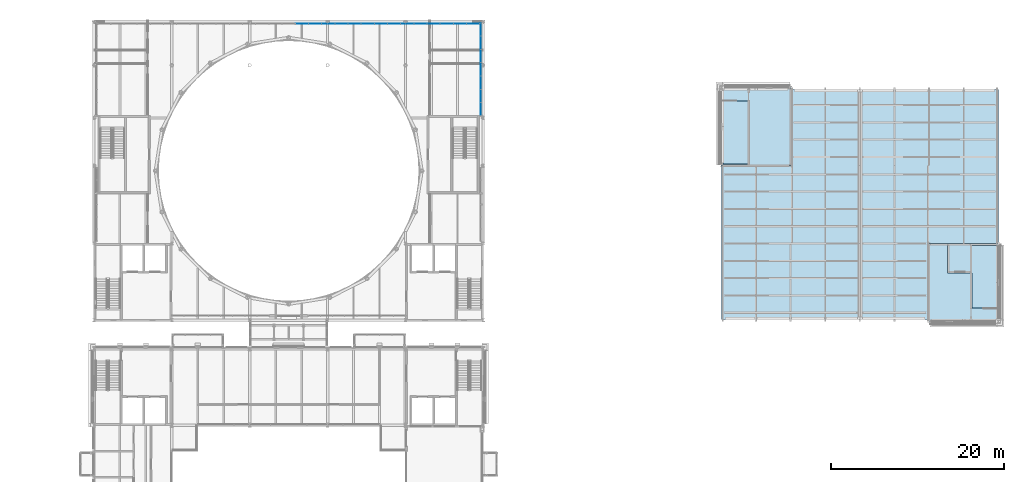
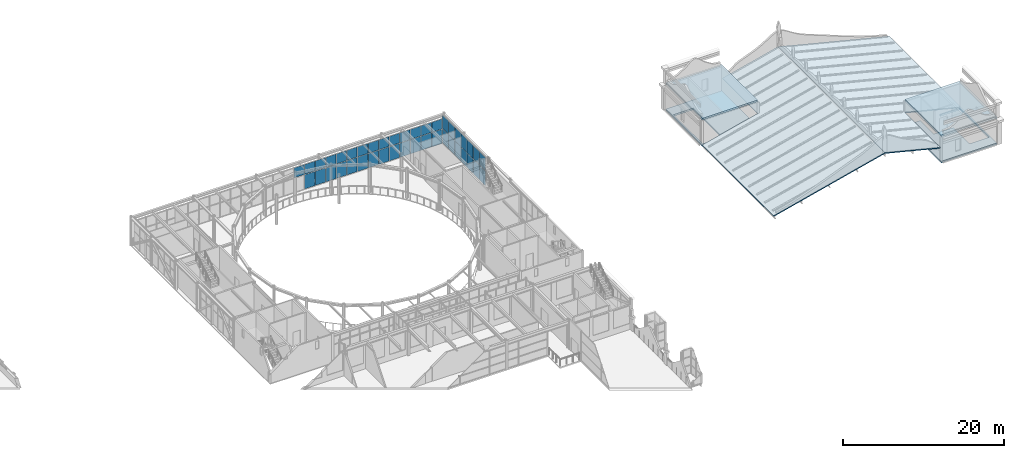
# One storey, part 63 of 111: 41 plates, 6 slabs, 2 elements without a shape of their own.
"""IFC4 building model written with IfcOpenShell, lengths in metres."""

from ifc_helpers import new_model, si_unit, direction, frame, origin, origin_2d, place, context, subcontext, project, spatial, polyline, rectangle, outline, extrude, material, layer, layer_set, type_object, element, aggregate, save


model = new_model("IFC4")

# Units and contexts
model_context = context("Model", 3, precision=1e-05, world=origin(), true_north=direction((0.0, 1.0)))
body_context = subcontext(model_context, "Body", "Model", "MODEL_VIEW")
ifc_project = project(units=[si_unit("LENGTHUNIT", "METRE"), si_unit("AREAUNIT", "SQUARE_METRE"), si_unit("VOLUMEUNIT", "CUBIC_METRE"), si_unit("PLANEANGLEUNIT", "RADIAN"), si_unit("MASSUNIT", "GRAM", prefix="KILO")], contexts=[model_context])

# Site, building, storey
site_placement = place(None, origin())
site = spatial("IfcSite", under=ifc_project, at=site_placement, CompositionType="ELEMENT")
building_placement = place(site_placement, origin())
building = spatial("IfcBuilding", under=site, at=building_placement, Name="Kallimachos Central Library", CompositionType="ELEMENT")
storey_placement = place(building_placement, frame((0.0, 0.0, 14.39990234375)))
storey = spatial("IfcBuildingStorey", under=building, at=storey_placement, Name="L03", CompositionType="ELEMENT", Elevation=14.39990234375)

# Slabs
ifc_material_1 = material(Name="Composite slab C30/37 on steel deck", Category="concrete")
ifc_layer_1 = layer(ifc_material_1, 0.25)
ifc_layer_set_1 = layer_set([ifc_layer_1], Name="Core floor slab 250")
slab_type_1 = type_object("IfcSlabType", Name="Core floor slab 250", PredefinedType="FLOOR", material=ifc_layer_set_1)
slab_1_placement = place(storey_placement, frame((0.0, 0.0, -0.25)))
element("IfcSlab", 1, at=slab_1_placement, inside=storey, type_object=slab_type_1, Name="V3-SLB-L03-001", PredefinedType="FLOOR", context=body_context, shape_type="SweptSolid", body=[
    extrude(outline(polyline([(138.0, 114.0), (146.0, 114.0), (146.0, 105.0), (138.0, 105.0), (138.0, 114.0)]), holes=[polyline([(138.199951171875, 105.199951171875), (141.050048828125, 105.199951171875), (141.050048828125, 112.446044921875), (138.199951171875, 112.446044921875), (138.199951171875, 105.199951171875)])]), origin(), (0.0, 0.0, 1.0), 0.25),
])
slab_2_placement = place(storey_placement, frame((0.0, 0.0, -0.25)))
element("IfcSlab", 2, at=slab_2_placement, inside=storey, type_object=slab_type_1, Name="V3-SLB-L03-002", PredefinedType="FLOOR", context=body_context, shape_type="SweptSolid", body=[
    extrude(outline(polyline([(170.0, 96.0), (170.0, 87.0), (162.0, 87.0), (162.0, 96.0), (164.14990234375, 96.0), (164.14990234375, 92.60009765625), (166.949951171875, 92.60009765625), (166.949951171875, 88.553955078125), (169.800048828125, 88.553955078125), (169.800048828125, 95.800048828125), (166.949951171875, 95.800048828125), (166.949951171875, 96.0), (170.0, 96.0)])), origin(), (0.0, 0.0, 1.0), 0.25),
])
ifc_material_2 = material(Name="Concrete C30/37", Category="concrete")
ifc_layer_2 = layer(ifc_material_2, 0.25)
ifc_layer_set_2 = layer_set([ifc_layer_2], Name="Head-house roof slab 250")
slab_type_2 = type_object("IfcSlabType", Name="Head-house roof slab 250", PredefinedType="ROOF", material=ifc_layer_set_2)
slab_3_placement = place(storey_placement, frame((0.0, 0.0, 3.75)))
element("IfcSlab", 3, at=slab_3_placement, inside=storey, type_object=slab_type_2, Name="V3-SLB-L03-003", PredefinedType="ROOF", context=body_context, shape_type="SweptSolid", body=[
    extrude(outline(polyline([(138.0, 105.0), (146.0, 105.0), (146.0, 114.0), (138.0, 114.0), (138.0, 105.0)])), origin(), (0.0, 0.0, 1.0), 0.25),
])
slab_4_placement = place(storey_placement, frame((0.0, 0.0, 3.75)))
element("IfcSlab", 4, at=slab_4_placement, inside=storey, type_object=slab_type_2, Name="V3-SLB-L03-004", PredefinedType="ROOF", context=body_context, shape_type="SweptSolid", body=[
    extrude(outline(polyline([(162.0, 87.0), (170.0, 87.0), (170.0, 96.0), (162.0, 96.0), (162.0, 87.0)])), origin(), (0.0, 0.0, 1.0), 0.25),
])

# Curtain wall, plates
ifc_material_3 = material(Name="Anodised aluminium and laminated glass", Category="aluminium")
ifc_layer_3 = layer(ifc_material_3, 0.159912109375)
ifc_layer_set_3 = layer_set([ifc_layer_3], Name="Glass box curtain wall")
curtain_wall_type = type_object("IfcCurtainWallType", Name="Glass box curtain wall", PredefinedType="NOTDEFINED", material=ifc_layer_set_3)
curtain_wall_1_placement = place(storey_placement, origin())
curtain_wall_1 = element("IfcCurtainWall", 5, at=curtain_wall_1_placement, inside=storey, type_object=curtain_wall_type, Name="Glass box curtain wall E L03", PredefinedType="NOTDEFINED")
ifc_material_4 = material(Name="Laminated glass", Category="glass")
ifc_layer_4 = layer(ifc_material_4, 0.028076171875)
ifc_layer_set_4 = layer_set([ifc_layer_4], Name="Laminated glass panel 28")
plate_type = type_object("IfcPlateType", Name="Laminated glass panel 28", PredefinedType="CURTAIN_PANEL", material=ifc_layer_set_4)
plate_1_placement = place(storey_placement, frame((110.199951171875, 111.532958984375, 0.06005859375), z_axis=(0.0, 0.0, 1.0), x_axis=(0.0, 1.0, 0.0)))
plate_1 = element("IfcPlate", 6, at=plate_1_placement, type_object=plate_type, Name="CW26 panel 1.1", PredefinedType="CURTAIN_PANEL", context=body_context, shape_type="SweptSolid", body=[
    extrude(rectangle(XDim=1.44580078125, YDim=0.028076171875, at=origin_2d()), origin(), (0.0, 0.0, 1.0), 2.159912109375),
])
plate_2_placement = place(storey_placement, frame((110.199951171875, 111.532958984375, 2.2802734375), z_axis=(0.0, 0.0, 1.0), x_axis=(0.0, 1.0, 0.0)))
plate_2 = element("IfcPlate", 7, at=plate_2_placement, type_object=plate_type, Name="CW26 panel 1.2", PredefinedType="CURTAIN_PANEL", context=body_context, shape_type="SweptSolid", body=[
    extrude(rectangle(XDim=1.44580078125, YDim=0.028076171875, at=origin_2d()), origin(), (0.0, 0.0, 1.0), 2.010009765625),
])
plate_3_placement = place(storey_placement, frame((110.199951171875, 113.053466796875, 0.06005859375), z_axis=(0.0, 0.0, 1.0), x_axis=(0.0, 1.0, 0.0)))
plate_3 = element("IfcPlate", 8, at=plate_3_placement, type_object=plate_type, Name="CW26 panel 2.1", PredefinedType="CURTAIN_PANEL", context=body_context, shape_type="SweptSolid", body=[
    extrude(rectangle(XDim=1.475830078125, YDim=0.028076171875, at=origin_2d()), origin(), (0.0, 0.0, 1.0), 2.159912109375),
])
plate_4_placement = place(storey_placement, frame((110.199951171875, 113.053466796875, 2.2802734375), z_axis=(0.0, 0.0, 1.0), x_axis=(0.0, 1.0, 0.0)))
plate_4 = element("IfcPlate", 9, at=plate_4_placement, type_object=plate_type, Name="CW26 panel 2.2", PredefinedType="CURTAIN_PANEL", context=body_context, shape_type="SweptSolid", body=[
    extrude(rectangle(XDim=1.475830078125, YDim=0.028076171875, at=origin_2d()), origin(), (0.0, 0.0, 1.0), 2.010009765625),
])
plate_5_placement = place(storey_placement, frame((110.199951171875, 114.58935546875, 0.06005859375), z_axis=(0.0, 0.0, 1.0), x_axis=(0.0, 1.0, 0.0)))
plate_5 = element("IfcPlate", 10, at=plate_5_placement, type_object=plate_type, Name="CW26 panel 3.1", PredefinedType="CURTAIN_PANEL", context=body_context, shape_type="SweptSolid", body=[
    extrude(rectangle(XDim=1.475830078125, YDim=0.028076171875, at=origin_2d()), origin(), (0.0, 0.0, 1.0), 2.159912109375),
])
plate_6_placement = place(storey_placement, frame((110.199951171875, 114.58935546875, 2.2802734375), z_axis=(0.0, 0.0, 1.0), x_axis=(0.0, 1.0, 0.0)))
plate_6 = element("IfcPlate", 11, at=plate_6_placement, type_object=plate_type, Name="CW26 panel 3.2", PredefinedType="CURTAIN_PANEL", context=body_context, shape_type="SweptSolid", body=[
    extrude(rectangle(XDim=1.475830078125, YDim=0.028076171875, at=origin_2d()), origin(), (0.0, 0.0, 1.0), 2.010009765625),
])
plate_7_placement = place(storey_placement, frame((110.199951171875, 116.125, 0.06005859375), z_axis=(0.0, 0.0, 1.0), x_axis=(0.0, 1.0, 0.0)))
plate_7 = element("IfcPlate", 12, at=plate_7_placement, type_object=plate_type, Name="CW26 panel 4.1", PredefinedType="CURTAIN_PANEL", context=body_context, shape_type="SweptSolid", body=[
    extrude(rectangle(XDim=1.475830078125, YDim=0.028076171875, at=origin_2d()), origin(), (0.0, 0.0, 1.0), 2.159912109375),
])
plate_8_placement = place(storey_placement, frame((110.199951171875, 116.125, 2.2802734375), z_axis=(0.0, 0.0, 1.0), x_axis=(0.0, 1.0, 0.0)))
plate_8 = element("IfcPlate", 13, at=plate_8_placement, type_object=plate_type, Name="CW26 panel 4.2", PredefinedType="CURTAIN_PANEL", context=body_context, shape_type="SweptSolid", body=[
    extrude(rectangle(XDim=1.475830078125, YDim=0.028076171875, at=origin_2d()), origin(), (0.0, 0.0, 1.0), 2.010009765625),
])
plate_9_placement = place(storey_placement, frame((110.199951171875, 117.66064453125, 0.06005859375), z_axis=(0.0, 0.0, 1.0), x_axis=(0.0, 1.0, 0.0)))
plate_9 = element("IfcPlate", 14, at=plate_9_placement, type_object=plate_type, Name="CW26 panel 5.1", PredefinedType="CURTAIN_PANEL", context=body_context, shape_type="SweptSolid", body=[
    extrude(rectangle(XDim=1.475830078125, YDim=0.028076171875, at=origin_2d()), origin(), (0.0, 0.0, 1.0), 2.159912109375),
])
plate_10_placement = place(storey_placement, frame((110.199951171875, 117.66064453125, 2.2802734375), z_axis=(0.0, 0.0, 1.0), x_axis=(0.0, 1.0, 0.0)))
plate_10 = element("IfcPlate", 15, at=plate_10_placement, type_object=plate_type, Name="CW26 panel 5.2", PredefinedType="CURTAIN_PANEL", context=body_context, shape_type="SweptSolid", body=[
    extrude(rectangle(XDim=1.475830078125, YDim=0.028076171875, at=origin_2d()), origin(), (0.0, 0.0, 1.0), 2.010009765625),
])
plate_11_placement = place(storey_placement, frame((110.199951171875, 119.196533203125, 0.06005859375), z_axis=(0.0, 0.0, 1.0), x_axis=(0.0, 1.0, 0.0)))
plate_11 = element("IfcPlate", 16, at=plate_11_placement, type_object=plate_type, Name="CW26 panel 6.1", PredefinedType="CURTAIN_PANEL", context=body_context, shape_type="SweptSolid", body=[
    extrude(rectangle(XDim=1.475830078125, YDim=0.028076171875, at=origin_2d()), origin(), (0.0, 0.0, 1.0), 2.159912109375),
])
plate_12_placement = place(storey_placement, frame((110.199951171875, 119.196533203125, 2.2802734375), z_axis=(0.0, 0.0, 1.0), x_axis=(0.0, 1.0, 0.0)))
plate_12 = element("IfcPlate", 17, at=plate_12_placement, type_object=plate_type, Name="CW26 panel 6.2", PredefinedType="CURTAIN_PANEL", context=body_context, shape_type="SweptSolid", body=[
    extrude(rectangle(XDim=1.475830078125, YDim=0.028076171875, at=origin_2d()), origin(), (0.0, 0.0, 1.0), 2.010009765625),
])
plate_13_placement = place(storey_placement, frame((110.199951171875, 120.717041015625, 0.06005859375), z_axis=(0.0, 0.0, 1.0), x_axis=(0.0, 1.0, 0.0)))
plate_13 = element("IfcPlate", 18, at=plate_13_placement, type_object=plate_type, Name="CW26 panel 7.1", PredefinedType="CURTAIN_PANEL", context=body_context, shape_type="SweptSolid", body=[
    extrude(rectangle(XDim=1.44580078125, YDim=0.028076171875, at=origin_2d()), origin(), (0.0, 0.0, 1.0), 2.159912109375),
])
plate_14_placement = place(storey_placement, frame((110.199951171875, 120.717041015625, 2.2802734375), z_axis=(0.0, 0.0, 1.0), x_axis=(0.0, 1.0, 0.0)))
plate_14 = element("IfcPlate", 19, at=plate_14_placement, type_object=plate_type, Name="CW26 panel 7.2", PredefinedType="CURTAIN_PANEL", context=body_context, shape_type="SweptSolid", body=[
    extrude(rectangle(XDim=1.44580078125, YDim=0.028076171875, at=origin_2d()), origin(), (0.0, 0.0, 1.0), 2.010009765625),
])
aggregate(curtain_wall_1, [plate_1, plate_2, plate_3, plate_4, plate_5, plate_6, plate_7, plate_8, plate_9, plate_10, plate_11, plate_12, plate_13, plate_14])

curtain_wall_2_placement = place(storey_placement, origin())
curtain_wall_2 = element("IfcCurtainWall", 20, at=curtain_wall_2_placement, inside=storey, type_object=curtain_wall_type, Name="Glass box curtain wall N L03", PredefinedType="NOTDEFINED")
plate_15_placement = place(storey_placement, frame((89.522705078125, 121.3798828125, 2.2802734375), z_axis=(0.0, 0.0, 1.0), x_axis=(1.0, 0.0, 0.0)))
plate_15 = element("IfcPlate", 21, at=plate_15_placement, type_object=plate_type, Name="CW27 panel 16.2", PredefinedType="CURTAIN_PANEL", context=body_context, shape_type="SweptSolid", body=[
    extrude(rectangle(XDim=1.462646484375, YDim=0.028076171875, at=origin_2d()), origin(), (0.0, 0.0, 1.0), 1.510009765625),
])
plate_16_placement = place(storey_placement, frame((91.04541015625, 121.3798828125, 0.06005859375), z_axis=(0.0, 0.0, 1.0), x_axis=(1.0, 0.0, 0.0)))
plate_16 = element("IfcPlate", 22, at=plate_16_placement, type_object=plate_type, Name="CW27 panel 17.1", PredefinedType="CURTAIN_PANEL", context=body_context, shape_type="SweptSolid", body=[
    extrude(rectangle(XDim=1.462646484375, YDim=0.028076171875, at=origin_2d()), origin(), (0.0, 0.0, 1.0), 2.159912109375),
])
plate_17_placement = place(storey_placement, frame((91.04541015625, 121.3798828125, 2.2802734375), z_axis=(0.0, 0.0, 1.0), x_axis=(1.0, 0.0, 0.0)))
plate_17 = element("IfcPlate", 23, at=plate_17_placement, type_object=plate_type, Name="CW27 panel 17.2", PredefinedType="CURTAIN_PANEL", context=body_context, shape_type="SweptSolid", body=[
    extrude(rectangle(XDim=1.462646484375, YDim=0.028076171875, at=origin_2d()), origin(), (0.0, 0.0, 1.0), 1.510009765625),
])
plate_18_placement = place(storey_placement, frame((92.568359375, 121.3798828125, 0.06005859375), z_axis=(0.0, 0.0, 1.0), x_axis=(1.0, 0.0, 0.0)))
plate_18 = element("IfcPlate", 24, at=plate_18_placement, type_object=plate_type, Name="CW27 panel 18.1", PredefinedType="CURTAIN_PANEL", context=body_context, shape_type="SweptSolid", body=[
    extrude(rectangle(XDim=1.462646484375, YDim=0.028076171875, at=origin_2d()), origin(), (0.0, 0.0, 1.0), 2.159912109375),
])
plate_19_placement = place(storey_placement, frame((92.568359375, 121.3798828125, 2.2802734375), z_axis=(0.0, 0.0, 1.0), x_axis=(1.0, 0.0, 0.0)))
plate_19 = element("IfcPlate", 25, at=plate_19_placement, type_object=plate_type, Name="CW27 panel 18.2", PredefinedType="CURTAIN_PANEL", context=body_context, shape_type="SweptSolid", body=[
    extrude(rectangle(XDim=1.462646484375, YDim=0.028076171875, at=origin_2d()), origin(), (0.0, 0.0, 1.0), 1.510009765625),
])
plate_20_placement = place(storey_placement, frame((94.091064453125, 121.3798828125, 0.06005859375), z_axis=(0.0, 0.0, 1.0), x_axis=(1.0, 0.0, 0.0)))
plate_20 = element("IfcPlate", 26, at=plate_20_placement, type_object=plate_type, Name="CW27 panel 19.1", PredefinedType="CURTAIN_PANEL", context=body_context, shape_type="SweptSolid", body=[
    extrude(rectangle(XDim=1.462646484375, YDim=0.028076171875, at=origin_2d()), origin(), (0.0, 0.0, 1.0), 2.159912109375),
])
plate_21_placement = place(storey_placement, frame((94.091064453125, 121.3798828125, 2.2802734375), z_axis=(0.0, 0.0, 1.0), x_axis=(1.0, 0.0, 0.0)))
plate_21 = element("IfcPlate", 27, at=plate_21_placement, type_object=plate_type, Name="CW27 panel 19.2", PredefinedType="CURTAIN_PANEL", context=body_context, shape_type="SweptSolid", body=[
    extrude(rectangle(XDim=1.462646484375, YDim=0.028076171875, at=origin_2d()), origin(), (0.0, 0.0, 1.0), 1.510009765625),
])
plate_22_placement = place(storey_placement, frame((95.61376953125, 121.3798828125, 0.06005859375), z_axis=(0.0, 0.0, 1.0), x_axis=(1.0, 0.0, 0.0)))
plate_22 = element("IfcPlate", 28, at=plate_22_placement, type_object=plate_type, Name="CW27 panel 20.1", PredefinedType="CURTAIN_PANEL", context=body_context, shape_type="SweptSolid", body=[
    extrude(rectangle(XDim=1.462646484375, YDim=0.028076171875, at=origin_2d()), origin(), (0.0, 0.0, 1.0), 2.159912109375),
])
plate_23_placement = place(storey_placement, frame((95.61376953125, 121.3798828125, 2.2802734375), z_axis=(0.0, 0.0, 1.0), x_axis=(1.0, 0.0, 0.0)))
plate_23 = element("IfcPlate", 29, at=plate_23_placement, type_object=plate_type, Name="CW27 panel 20.2", PredefinedType="CURTAIN_PANEL", context=body_context, shape_type="SweptSolid", body=[
    extrude(rectangle(XDim=1.462646484375, YDim=0.028076171875, at=origin_2d()), origin(), (0.0, 0.0, 1.0), 1.510009765625),
])
plate_24_placement = place(storey_placement, frame((97.136474609375, 121.3798828125, 0.06005859375), z_axis=(0.0, 0.0, 1.0), x_axis=(1.0, 0.0, 0.0)))
plate_24 = element("IfcPlate", 30, at=plate_24_placement, type_object=plate_type, Name="CW27 panel 21.1", PredefinedType="CURTAIN_PANEL", context=body_context, shape_type="SweptSolid", body=[
    extrude(rectangle(XDim=1.462646484375, YDim=0.028076171875, at=origin_2d()), origin(), (0.0, 0.0, 1.0), 2.159912109375),
])
plate_25_placement = place(storey_placement, frame((97.136474609375, 121.3798828125, 2.2802734375), z_axis=(0.0, 0.0, 1.0), x_axis=(1.0, 0.0, 0.0)))
plate_25 = element("IfcPlate", 31, at=plate_25_placement, type_object=plate_type, Name="CW27 panel 21.2", PredefinedType="CURTAIN_PANEL", context=body_context, shape_type="SweptSolid", body=[
    extrude(rectangle(XDim=1.462646484375, YDim=0.028076171875, at=origin_2d()), origin(), (0.0, 0.0, 1.0), 1.510009765625),
])
plate_26_placement = place(storey_placement, frame((98.659423828125, 121.3798828125, 0.06005859375), z_axis=(0.0, 0.0, 1.0), x_axis=(1.0, 0.0, 0.0)))
plate_26 = element("IfcPlate", 32, at=plate_26_placement, type_object=plate_type, Name="CW27 panel 22.1", PredefinedType="CURTAIN_PANEL", context=body_context, shape_type="SweptSolid", body=[
    extrude(rectangle(XDim=1.462646484375, YDim=0.028076171875, at=origin_2d()), origin(), (0.0, 0.0, 1.0), 2.159912109375),
])
plate_27_placement = place(storey_placement, frame((98.659423828125, 121.3798828125, 2.2802734375), z_axis=(0.0, 0.0, 1.0), x_axis=(1.0, 0.0, 0.0)))
plate_27 = element("IfcPlate", 33, at=plate_27_placement, type_object=plate_type, Name="CW27 panel 22.2", PredefinedType="CURTAIN_PANEL", context=body_context, shape_type="SweptSolid", body=[
    extrude(rectangle(XDim=1.462646484375, YDim=0.028076171875, at=origin_2d()), origin(), (0.0, 0.0, 1.0), 1.510009765625),
])
plate_28_placement = place(storey_placement, frame((100.18212890625, 121.3798828125, 0.06005859375), z_axis=(0.0, 0.0, 1.0), x_axis=(1.0, 0.0, 0.0)))
plate_28 = element("IfcPlate", 34, at=plate_28_placement, type_object=plate_type, Name="CW27 panel 23.1", PredefinedType="CURTAIN_PANEL", context=body_context, shape_type="SweptSolid", body=[
    extrude(rectangle(XDim=1.462646484375, YDim=0.028076171875, at=origin_2d()), origin(), (0.0, 0.0, 1.0), 2.159912109375),
])
plate_29_placement = place(storey_placement, frame((100.18212890625, 121.3798828125, 2.2802734375), z_axis=(0.0, 0.0, 1.0), x_axis=(1.0, 0.0, 0.0)))
plate_29 = element("IfcPlate", 35, at=plate_29_placement, type_object=plate_type, Name="CW27 panel 23.2", PredefinedType="CURTAIN_PANEL", context=body_context, shape_type="SweptSolid", body=[
    extrude(rectangle(XDim=1.462646484375, YDim=0.028076171875, at=origin_2d()), origin(), (0.0, 0.0, 1.0), 1.510009765625),
])
plate_30_placement = place(storey_placement, frame((101.704833984375, 121.3798828125, 0.06005859375), z_axis=(0.0, 0.0, 1.0), x_axis=(1.0, 0.0, 0.0)))
plate_30 = element("IfcPlate", 36, at=plate_30_placement, type_object=plate_type, Name="CW27 panel 24.1", PredefinedType="CURTAIN_PANEL", context=body_context, shape_type="SweptSolid", body=[
    extrude(rectangle(XDim=1.462646484375, YDim=0.028076171875, at=origin_2d()), origin(), (0.0, 0.0, 1.0), 2.159912109375),
])
plate_31_placement = place(storey_placement, frame((101.704833984375, 121.3798828125, 2.2802734375), z_axis=(0.0, 0.0, 1.0), x_axis=(1.0, 0.0, 0.0)))
plate_31 = element("IfcPlate", 37, at=plate_31_placement, type_object=plate_type, Name="CW27 panel 24.2", PredefinedType="CURTAIN_PANEL", context=body_context, shape_type="SweptSolid", body=[
    extrude(rectangle(XDim=1.462646484375, YDim=0.028076171875, at=origin_2d()), origin(), (0.0, 0.0, 1.0), 1.510009765625),
])
plate_32_placement = place(storey_placement, frame((103.2275390625, 121.3798828125, 0.06005859375), z_axis=(0.0, 0.0, 1.0), x_axis=(1.0, 0.0, 0.0)))
plate_32 = element("IfcPlate", 38, at=plate_32_placement, type_object=plate_type, Name="CW27 panel 25.1", PredefinedType="CURTAIN_PANEL", context=body_context, shape_type="SweptSolid", body=[
    extrude(rectangle(XDim=1.462646484375, YDim=0.028076171875, at=origin_2d()), origin(), (0.0, 0.0, 1.0), 2.159912109375),
])
plate_33_placement = place(storey_placement, frame((103.2275390625, 121.3798828125, 2.2802734375), z_axis=(0.0, 0.0, 1.0), x_axis=(1.0, 0.0, 0.0)))
plate_33 = element("IfcPlate", 39, at=plate_33_placement, type_object=plate_type, Name="CW27 panel 25.2", PredefinedType="CURTAIN_PANEL", context=body_context, shape_type="SweptSolid", body=[
    extrude(rectangle(XDim=1.462646484375, YDim=0.028076171875, at=origin_2d()), origin(), (0.0, 0.0, 1.0), 1.510009765625),
])
plate_34_placement = place(storey_placement, frame((104.750244140625, 121.3798828125, 0.06005859375), z_axis=(0.0, 0.0, 1.0), x_axis=(1.0, 0.0, 0.0)))
plate_34 = element("IfcPlate", 40, at=plate_34_placement, type_object=plate_type, Name="CW27 panel 26.1", PredefinedType="CURTAIN_PANEL", context=body_context, shape_type="SweptSolid", body=[
    extrude(rectangle(XDim=1.462646484375, YDim=0.028076171875, at=origin_2d()), origin(), (0.0, 0.0, 1.0), 2.159912109375),
])
plate_35_placement = place(storey_placement, frame((104.750244140625, 121.3798828125, 2.2802734375), z_axis=(0.0, 0.0, 1.0), x_axis=(1.0, 0.0, 0.0)))
plate_35 = element("IfcPlate", 41, at=plate_35_placement, type_object=plate_type, Name="CW27 panel 26.2", PredefinedType="CURTAIN_PANEL", context=body_context, shape_type="SweptSolid", body=[
    extrude(rectangle(XDim=1.462646484375, YDim=0.028076171875, at=origin_2d()), origin(), (0.0, 0.0, 1.0), 1.510009765625),
])
plate_36_placement = place(storey_placement, frame((106.273193359375, 121.3798828125, 0.06005859375), z_axis=(0.0, 0.0, 1.0), x_axis=(1.0, 0.0, 0.0)))
plate_36 = element("IfcPlate", 42, at=plate_36_placement, type_object=plate_type, Name="CW27 panel 27.1", PredefinedType="CURTAIN_PANEL", context=body_context, shape_type="SweptSolid", body=[
    extrude(rectangle(XDim=1.462646484375, YDim=0.028076171875, at=origin_2d()), origin(), (0.0, 0.0, 1.0), 2.159912109375),
])
plate_37_placement = place(storey_placement, frame((106.273193359375, 121.3798828125, 2.2802734375), z_axis=(0.0, 0.0, 1.0), x_axis=(1.0, 0.0, 0.0)))
plate_37 = element("IfcPlate", 43, at=plate_37_placement, type_object=plate_type, Name="CW27 panel 27.2", PredefinedType="CURTAIN_PANEL", context=body_context, shape_type="SweptSolid", body=[
    extrude(rectangle(XDim=1.462646484375, YDim=0.028076171875, at=origin_2d()), origin(), (0.0, 0.0, 1.0), 1.510009765625),
])
plate_38_placement = place(storey_placement, frame((107.7958984375, 121.3798828125, 0.06005859375), z_axis=(0.0, 0.0, 1.0), x_axis=(1.0, 0.0, 0.0)))
plate_38 = element("IfcPlate", 44, at=plate_38_placement, type_object=plate_type, Name="CW27 panel 28.1", PredefinedType="CURTAIN_PANEL", context=body_context, shape_type="SweptSolid", body=[
    extrude(rectangle(XDim=1.462646484375, YDim=0.028076171875, at=origin_2d()), origin(), (0.0, 0.0, 1.0), 2.159912109375),
])
plate_39_placement = place(storey_placement, frame((107.7958984375, 121.3798828125, 2.2802734375), z_axis=(0.0, 0.0, 1.0), x_axis=(1.0, 0.0, 0.0)))
plate_39 = element("IfcPlate", 45, at=plate_39_placement, type_object=plate_type, Name="CW27 panel 28.2", PredefinedType="CURTAIN_PANEL", context=body_context, shape_type="SweptSolid", body=[
    extrude(rectangle(XDim=1.462646484375, YDim=0.028076171875, at=origin_2d()), origin(), (0.0, 0.0, 1.0), 1.510009765625),
])
plate_40_placement = place(storey_placement, frame((109.3037109375, 121.3798828125, 0.06005859375), z_axis=(0.0, 0.0, 1.0), x_axis=(1.0, 0.0, 0.0)))
plate_40 = element("IfcPlate", 46, at=plate_40_placement, type_object=plate_type, Name="CW27 panel 29.1", PredefinedType="CURTAIN_PANEL", context=body_context, shape_type="SweptSolid", body=[
    extrude(rectangle(XDim=1.432861328125, YDim=0.028076171875, at=origin_2d()), origin(), (0.0, 0.0, 1.0), 2.159912109375),
])
plate_41_placement = place(storey_placement, frame((109.3037109375, 121.3798828125, 2.2802734375), z_axis=(0.0, 0.0, 1.0), x_axis=(1.0, 0.0, 0.0)))
plate_41 = element("IfcPlate", 47, at=plate_41_placement, type_object=plate_type, Name="CW27 panel 29.2", PredefinedType="CURTAIN_PANEL", context=body_context, shape_type="SweptSolid", body=[
    extrude(rectangle(XDim=1.432861328125, YDim=0.028076171875, at=origin_2d()), origin(), (0.0, 0.0, 1.0), 1.510009765625),
])
aggregate(curtain_wall_2, [plate_15, plate_16, plate_17, plate_18, plate_19, plate_20, plate_21, plate_22, plate_23, plate_24, plate_25, plate_26, plate_27, plate_28, plate_29, plate_30, plate_31, plate_32, plate_33, plate_34, plate_35, plate_36, plate_37, plate_38, plate_39, plate_40, plate_41])

# Slabs
ifc_material_5 = material(Name="Composite slab C30/37 on steel deck", Category="concrete")
ifc_layer_5 = layer(ifc_material_5, 0.14990234375)
ifc_layer_set_5 = layer_set([ifc_layer_5], Name="Roof deck 150")
slab_type_3 = type_object("IfcSlabType", Name="Roof deck 150", PredefinedType="ROOF", material=ifc_layer_set_5)
slab_5_placement = place(storey_placement, frame((138.0, 87.199951171875, 0.0), z_axis=(-0.242535625036, 0.0, 0.970142500145), x_axis=(0.970142500145, 0.0, 0.242535625036)))
element("IfcSlab", 48, at=slab_5_placement, inside=storey, type_object=slab_type_3, Name="Roof deck west", PredefinedType="ROOF", context=body_context, shape_type="SweptSolid", body=[
    extrude(outline(polyline([(0.0, 0.0), (16.492422502470642, 0.0), (16.492422502470642, 26.60009765625), (8.246211251235321, 26.60009765625), (8.246211251235321, 17.800048828125), (0.0, 17.800048828125), (0.0, 0.0)])), origin(), (0.0, 0.0, -1.0), 0.14990234375),
])
slab_6_placement = place(storey_placement, frame((154.0, 87.199951171875, 4.0), z_axis=(0.242535625036, 0.0, 0.970142500145), x_axis=(0.970142500145, 0.0, -0.242535625036)))
element("IfcSlab", 49, at=slab_6_placement, inside=storey, type_object=slab_type_3, Name="Roof deck east", PredefinedType="ROOF", context=body_context, shape_type="SweptSolid", body=[
    extrude(outline(polyline([(0.0, 0.0), (8.246211251235321, 0.0), (8.246211251235321, 8.800048828125), (16.492422502470642, 8.800048828125), (16.492422502470642, 26.60009765625), (0.0, 26.60009765625), (0.0, 0.0)])), origin(), (0.0, 0.0, -1.0), 0.14990234375),
])

save(model, "model.ifc")
